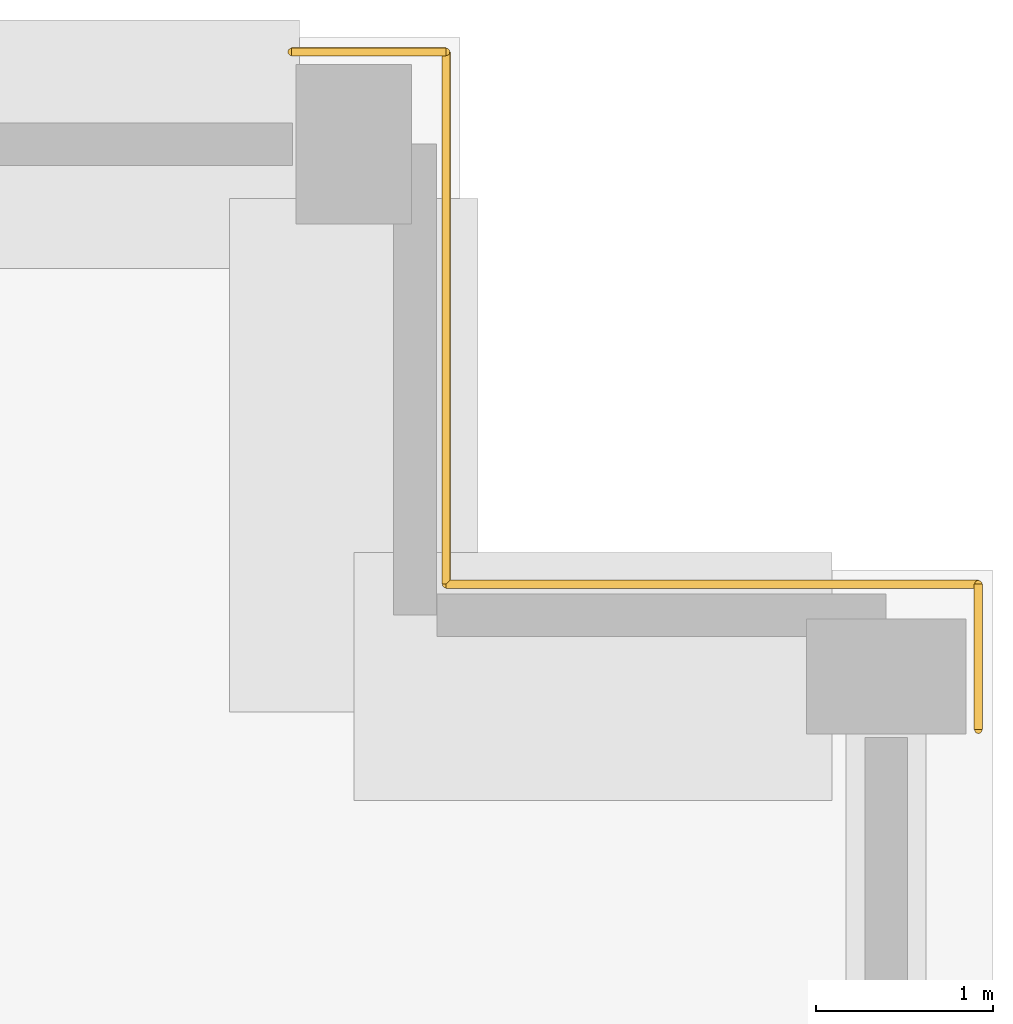
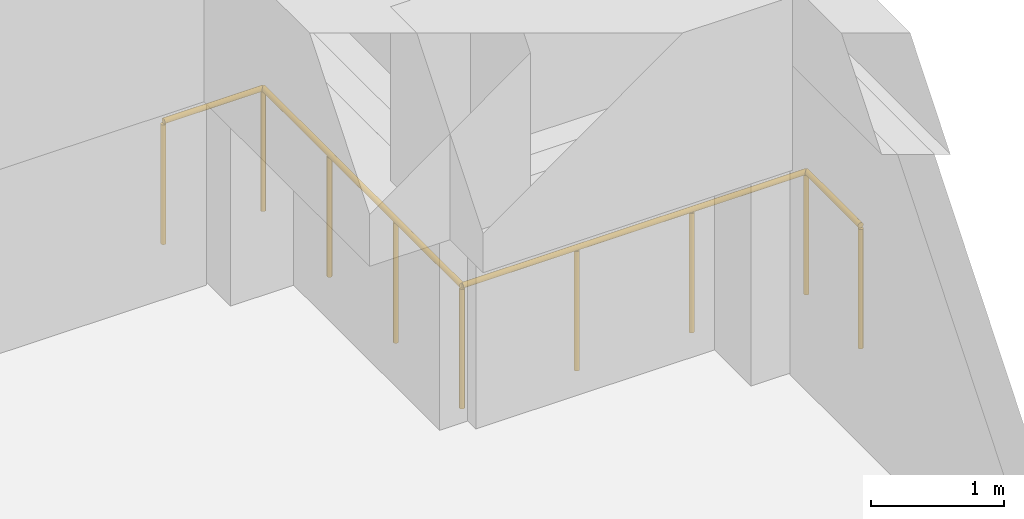
# One storey, part 7 of 7: 4 railings.
"""IFC4 building model written with IfcOpenShell, lengths in metres."""

from ifc_helpers import new_model, si_unit, direction, frame, origin, origin_2d, place, context, subcontext, project, spatial, circle, extrude, material, type_object, element, save


model = new_model("IFC4")

# Units and contexts
model_context = context("Model", 3, precision=1e-05, world=origin(), true_north=direction((0.0, 1.0)))
body_context = subcontext(model_context, "Body", "Model", "MODEL_VIEW")
ifc_project = project(units=[si_unit("LENGTHUNIT", "METRE"), si_unit("AREAUNIT", "SQUARE_METRE"), si_unit("VOLUMEUNIT", "CUBIC_METRE"), si_unit("PLANEANGLEUNIT", "RADIAN"), si_unit("MASSUNIT", "GRAM", prefix="KILO")], contexts=[model_context])

# Site, building, storey
site_placement = place(None, origin())
site = spatial("IfcSite", under=ifc_project, at=site_placement, CompositionType="ELEMENT")
building_placement = place(site_placement, origin())
building = spatial("IfcBuilding", under=site, at=building_placement, Name="Sulina Concourse Tower", CompositionType="ELEMENT")
storey_placement = place(building_placement, frame((0.0, 0.0, 301.0)))
storey = spatial("IfcBuildingStorey", under=building, at=storey_placement, Name="L73", CompositionType="ELEMENT", Elevation=301.0)

# Railings
ifc_material = material(Name="Galvanised steel railing", Category="steel")
railing_type = type_object("IfcRailingType", Name="Core Stair Steel Guardrail 1150mm", PredefinedType="GUARDRAIL", material=ifc_material)
railing_1_placement = place(storey_placement, frame((38.25, 45.919921875, 0.0)))
element("IfcRailing", 1, at=railing_1_placement, inside=storey, type_object=railing_type, Name="L73 perimeter edge safety guardrail NE1", PredefinedType="GUARDRAIL", context=body_context, shape_type="SweptSolid", body=[
    extrude(circle(Radius=0.02392578125, at=origin_2d()), frame((0.0, 0.0, 1.1259765625), z_axis=(1.0, 0.0, 0.0), x_axis=(0.0, 1.0, 0.0)), (0.0, 0.0, 1.0), 0.8701171875),
    extrude(circle(Radius=0.02099609375, at=origin_2d()), origin(), (0.0, 0.0, 1.0), 1.101806640625),
    extrude(circle(Radius=0.02099609375, at=origin_2d()), frame((0.8701171875, 0.0, 0.0)), (0.0, 0.0, 1.0), 1.101806640625),
])
railing_2_placement = place(storey_placement, frame((39.1201171875, 45.919921875, 0.0)))
element("IfcRailing", 2, at=railing_2_placement, inside=storey, type_object=railing_type, Name="L73 perimeter edge safety guardrail NE2", PredefinedType="GUARDRAIL", context=body_context, shape_type="SweptSolid", body=[
    extrude(circle(Radius=0.02392578125, at=origin_2d()), frame((0.0, 0.0, 1.1259765625), z_axis=(0.0, -1.0, 0.0), x_axis=(1.0, 0.0, 0.0)), (0.0, 0.0, 1.0), 3.0),
    extrude(circle(Radius=0.02099609375, at=origin_2d()), origin(), (0.0, 0.0, 1.0), 1.101806640625),
    extrude(circle(Radius=0.02099609375, at=origin_2d()), frame((0.0, -1.0, 0.0)), (0.0, 0.0, 1.0), 1.101806640625),
    extrude(circle(Radius=0.02099609375, at=origin_2d()), frame((0.0, -2.0, 0.0)), (0.0, 0.0, 1.0), 1.101806640625),
    extrude(circle(Radius=0.02099609375, at=origin_2d()), frame((0.0, -3.0, 0.0)), (0.0, 0.0, 1.0), 1.101806640625),
])
railing_3_placement = place(storey_placement, frame((39.1201171875, 42.919921875, 0.0)))
element("IfcRailing", 3, at=railing_3_placement, inside=storey, type_object=railing_type, Name="L73 perimeter edge safety guardrail NE3", PredefinedType="GUARDRAIL", context=body_context, shape_type="SweptSolid", body=[
    extrude(circle(Radius=0.02392578125, at=origin_2d()), frame((0.0, 0.0, 1.1259765625), z_axis=(1.0, 0.0, 0.0), x_axis=(0.0, 1.0, 0.0)), (0.0, 0.0, 1.0), 3.0),
    extrude(circle(Radius=0.02099609375, at=origin_2d()), origin(), (0.0, 0.0, 1.0), 1.101806640625),
    extrude(circle(Radius=0.02099609375, at=origin_2d()), frame((1.0, 0.0, 0.0)), (0.0, 0.0, 1.0), 1.101806640625),
    extrude(circle(Radius=0.02099609375, at=origin_2d()), frame((2.0, 0.0, 0.0)), (0.0, 0.0, 1.0), 1.101806640625),
    extrude(circle(Radius=0.02099609375, at=origin_2d()), frame((3.0, 0.0, 0.0)), (0.0, 0.0, 1.0), 1.101806640625),
])
railing_4_placement = place(storey_placement, frame((42.1201171875, 42.919921875, 0.0)))
element("IfcRailing", 4, at=railing_4_placement, inside=storey, type_object=railing_type, Name="L73 perimeter edge safety guardrail NE4", PredefinedType="GUARDRAIL", context=body_context, shape_type="SweptSolid", body=[
    extrude(circle(Radius=0.02392578125, at=origin_2d()), frame((0.0, 0.0, 1.1259765625), z_axis=(0.0, -1.0, 0.0), x_axis=(1.0, 0.0, 0.0)), (0.0, 0.0, 1.0), 0.81982421875),
    extrude(circle(Radius=0.02099609375, at=origin_2d()), origin(), (0.0, 0.0, 1.0), 1.101806640625),
    extrude(circle(Radius=0.02099609375, at=origin_2d()), frame((0.0, -0.81982421875, 0.0)), (0.0, 0.0, 1.0), 1.101806640625),
])

save(model, "model.ifc")
